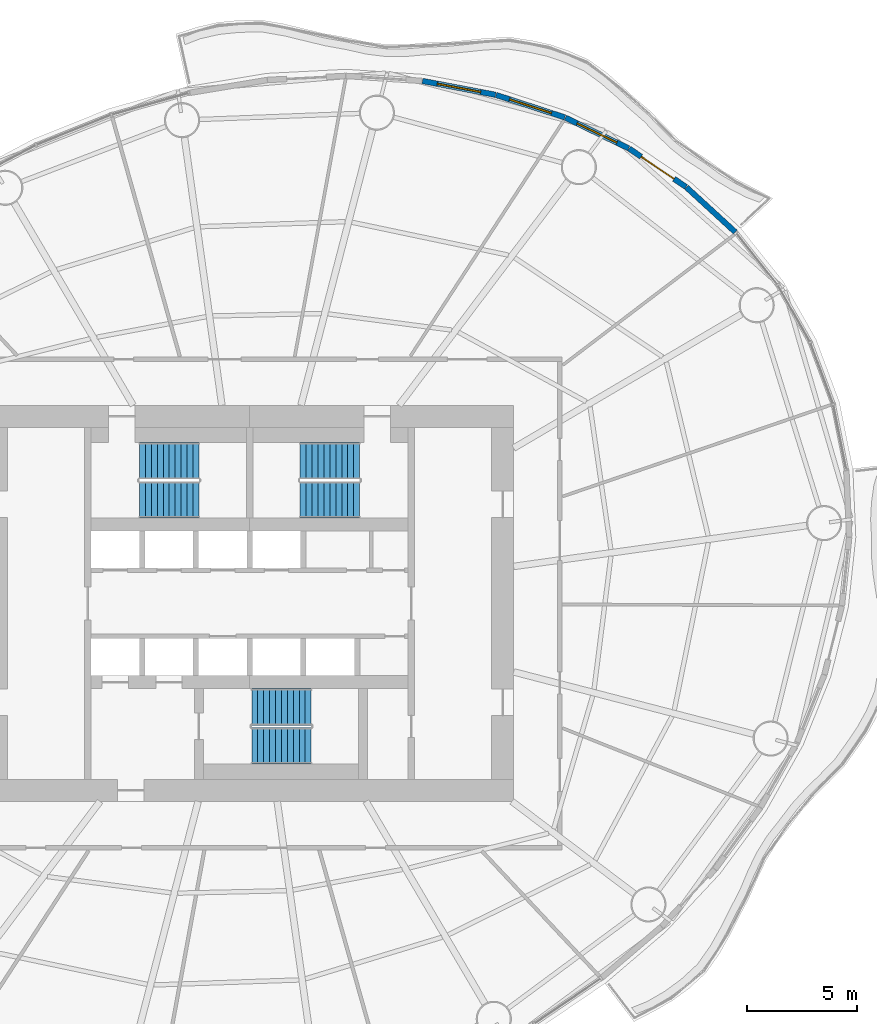
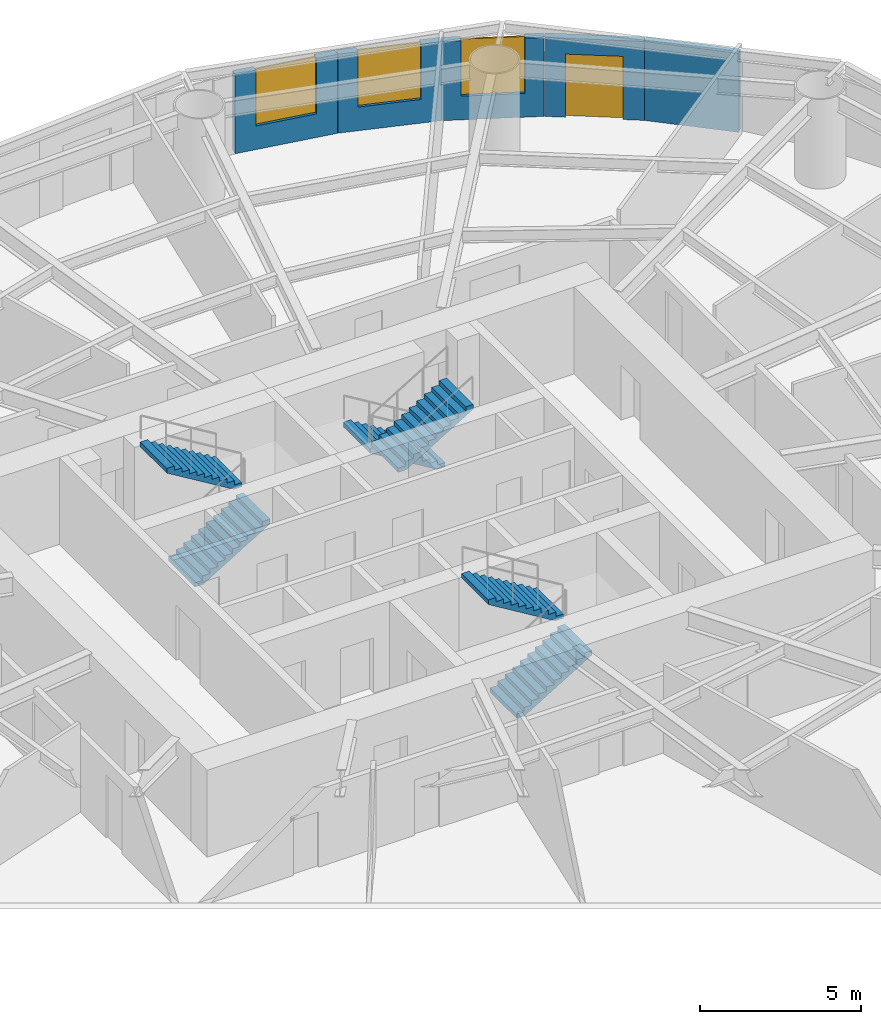
# One storey, part 11 of 14: 6 stair flights, 5 walls, 3 windows, 1 door, 4 openings, 3 elements without a shape of their own.
"""IFC4 building model written with IfcOpenShell, lengths in metres."""

from ifc_helpers import new_model, si_unit, direction, frame, frame_2d, origin, place, context, subcontext, project, spatial, polyline, rectangle, outline, extrude, material, layer, layer_set, type_object, element, fill, aggregate, save


model = new_model("IFC4")

# Units and contexts
model_context = context("Model", 3, precision=1e-05, world=origin(), true_north=direction((0.0, 1.0)))
body_context = subcontext(model_context, "Body", "Model", "MODEL_VIEW")
ifc_project = project(units=[si_unit("LENGTHUNIT", "METRE"), si_unit("AREAUNIT", "SQUARE_METRE"), si_unit("VOLUMEUNIT", "CUBIC_METRE"), si_unit("PLANEANGLEUNIT", "RADIAN"), si_unit("MASSUNIT", "GRAM", prefix="KILO")], contexts=[model_context])

# Site, building, storey
site_placement = place(None, origin())
site = spatial("IfcSite", under=ifc_project, at=site_placement, CompositionType="ELEMENT")
building_placement = place(site_placement, origin())
building = spatial("IfcBuilding", under=site, at=building_placement, Name="Vermilion Reach Broadcast Tower", CompositionType="ELEMENT")
storey_placement = place(building_placement, frame((0.0, 0.0, 131.800048828125)))
storey = spatial("IfcBuildingStorey", under=building, at=storey_placement, Name="L31", CompositionType="ELEMENT", Elevation=131.800048828125)

# Wall
ifc_material_1 = material(Name="Terracotta rainscreen cladding", Category="masonry")
ifc_layer = layer(ifc_material_1, 0.25)
ifc_layer_set = layer_set([ifc_layer], Name="Terracotta rainscreen wall 250")
wall_type = type_object("IfcWallType", Name="Terracotta rainscreen wall 250", PredefinedType="SOLIDWALL", material=ifc_layer_set)
wall_1_placement = place(storey_placement, frame((16.0703125, 16.870361328125, 0.0), z_axis=(0.0, 0.0, 1.0), x_axis=(-0.736827064846, 0.676081264724, 0.0)))
element("IfcWall", 1, at=wall_1_placement, inside=storey, type_object=wall_type, Name="External wall L31 02", PredefinedType="SOLIDWALL", context=body_context, shape_type="SweptSolid", body=[
    extrude(rectangle(XDim=3.00634765625, YDim=0.25, at=frame_2d((1.503173828125, 0.0))), origin(), (0.0, 0.0, 1.0), 3.0),
])

# Wall, opening, door
wall_2_placement = place(storey_placement, frame((13.834228515625, 18.91943359375, 0.0), z_axis=(0.0, 0.0, 1.0), x_axis=(-0.829037505095, 0.559193003484, 0.0)))
wall_2 = element("IfcWall", 2, at=wall_2_placement, inside=storey, type_object=wall_type, Name="External wall L31 03", PredefinedType="SOLIDWALL", context=body_context, shape_type="SweptSolid", body=[
    extrude(rectangle(XDim=3.116943359375, YDim=0.25, at=frame_2d((1.55859375, 0.0))), origin(), (0.0, 0.0, 1.0), 3.0),
])
opening_1_placement = place(wall_2_placement, frame((0.657958984375, 0.0, 0.0)))
opening_1 = element("IfcOpeningElement", 3, at=opening_1_placement, cuts=wall_2, Name="Opening D70", PredefinedType="OPENING", context=body_context, shape_type="SweptSolid", body=[
    extrude(rectangle(XDim=1.800048828125, YDim=2.39990234375, at=frame_2d((0.89990234375, 1.199951171875))), frame((0.0, 0.135009765625, 0.0), z_axis=(0.0, -1.0, 0.0), x_axis=(1.0, 0.0, 0.0)), (0.0, 0.0, 1.0), 0.27001953125),
])
ifc_material_2 = material(Name="Low-e laminated clear glass in aluminium frame", Category="aluminium")
door_type = type_object("IfcDoorType", Name="Balcony sliding door 1800 x 2400", OperationType="DOUBLE_DOOR_SLIDING", PredefinedType="DOOR", material=ifc_material_2)
door_placement = place(opening_1_placement, origin())
door = element("IfcDoor", 4, at=door_placement, inside=storey, type_object=door_type, Name="Balcony door L31 run 01", OperationType="DOUBLE_DOOR_SLIDING", OverallHeight=2.39990234375, OverallWidth=1.800048828125, PredefinedType="DOOR", context=body_context, shape_type="SweptSolid", body=[
    extrude(rectangle(XDim=1.800048828125, YDim=2.39990234375, at=frame_2d((0.89990234375, 1.199951171875))), frame((0.0, 0.02490234375, 0.0), z_axis=(0.0, -1.0, 0.0), x_axis=(1.0, 0.0, 0.0)), (0.0, 0.0, 1.0), 0.050048828125),
])
fill(opening_1, door)

# Wall, opening, window
wall_3_placement = place(storey_placement, frame((11.22802734375, 20.675048828125, 0.0), z_axis=(0.0, 0.0, 1.0), x_axis=(-0.899958400028, 0.435975777102, 0.0)))
wall_3 = element("IfcWall", 5, at=wall_3_placement, inside=storey, type_object=wall_type, Name="External wall L31 04", PredefinedType="SOLIDWALL", context=body_context, shape_type="SweptSolid", body=[
    extrude(rectangle(XDim=3.19921875, YDim=0.25, at=frame_2d((1.599609375, 0.0))), origin(), (0.0, 0.0, 1.0), 3.0),
])
opening_2_placement = place(wall_3_placement, frame((0.599609375, 0.0, 0.89990234375)))
opening_2 = element("IfcOpeningElement", 6, at=opening_2_placement, cuts=wall_3, Name="Opening W03", PredefinedType="OPENING", context=body_context, shape_type="SweptSolid", body=[
    extrude(rectangle(XDim=2.0, YDim=2.10009765625, at=frame_2d((1.0, 1.050048828125))), frame((0.0, 0.135009765625, 0.0), z_axis=(0.0, -1.0, 0.0), x_axis=(1.0, 0.0, 0.0)), (0.0, 0.0, 1.0), 0.27001953125),
])
ifc_material_3 = material(Name="Low-e laminated clear glass in aluminium frame", Category="aluminium")
window_type = type_object("IfcWindowType", Name="Punched window 2000 x 2100 sill 900", PartitioningType="SINGLE_PANEL", PredefinedType="WINDOW", material=ifc_material_3)
window_1_placement = place(opening_2_placement, origin())
window_1 = element("IfcWindow", 7, at=window_1_placement, inside=storey, type_object=window_type, Name="Window L31 04", OverallHeight=2.10009765625, OverallWidth=2.0, PartitioningType="SINGLE_PANEL", PredefinedType="WINDOW", context=body_context, shape_type="SweptSolid", body=[
    extrude(rectangle(XDim=2.0, YDim=2.10009765625, at=frame_2d((1.0, 1.050048828125))), frame((0.0, 0.030029296875, 0.0), z_axis=(0.0, -1.0, 0.0), x_axis=(1.0, 0.0, 0.0)), (0.0, 0.0, 1.0), 0.06005859375),
])
fill(opening_2, window_1)

wall_4_placement = place(storey_placement, frame((8.32568359375, 22.0791015625, 0.0), z_axis=(0.0, 0.0, 1.0), x_axis=(-0.950530319669, 0.310631793915, 0.0)))
wall_4 = element("IfcWall", 8, at=wall_4_placement, inside=storey, type_object=wall_type, Name="External wall L31 05", PredefinedType="SOLIDWALL", context=body_context, shape_type="SweptSolid", body=[
    extrude(rectangle(XDim=3.288330078125, YDim=0.25, at=frame_2d((1.64404296875, 0.0))), origin(), (0.0, 0.0, 1.0), 3.0),
])
opening_3_placement = place(wall_4_placement, frame((0.644287109375, 0.0, 0.89990234375)))
opening_3 = element("IfcOpeningElement", 9, at=opening_3_placement, cuts=wall_4, Name="Opening W03", PredefinedType="OPENING", context=body_context, shape_type="SweptSolid", body=[
    extrude(rectangle(XDim=2.0, YDim=2.10009765625, at=frame_2d((1.0, 1.050048828125))), frame((0.0, 0.135009765625, 0.0), z_axis=(0.0, -1.0, 0.0), x_axis=(1.0, 0.0, 0.0)), (0.0, 0.0, 1.0), 0.27001953125),
])
window_2_placement = place(opening_3_placement, origin())
window_2 = element("IfcWindow", 10, at=window_2_placement, inside=storey, type_object=window_type, Name="Window L31 05", OverallHeight=2.10009765625, OverallWidth=2.0, PartitioningType="SINGLE_PANEL", PredefinedType="WINDOW", context=body_context, shape_type="SweptSolid", body=[
    extrude(rectangle(XDim=2.0, YDim=2.10009765625, at=frame_2d((1.0, 1.050048828125))), frame((0.0, 0.030029296875, 0.0), z_axis=(0.0, -1.0, 0.0), x_axis=(1.0, 0.0, 0.0)), (0.0, 0.0, 1.0), 0.06005859375),
])
fill(opening_3, window_2)

wall_5_placement = place(storey_placement, frame((5.176513671875, 23.106689453125, 0.0), z_axis=(0.0, 0.0, 1.0), x_axis=(-0.982478083438, 0.186378152055, 0.0)))
wall_5 = element("IfcWall", 11, at=wall_5_placement, inside=storey, type_object=wall_type, Name="External wall L31 06", PredefinedType="SOLIDWALL", context=body_context, shape_type="SweptSolid", body=[
    extrude(rectangle(XDim=3.378173828125, YDim=0.25, at=frame_2d((1.68896484375, 0.0))), origin(), (0.0, 0.0, 1.0), 3.0),
])
opening_4_placement = place(wall_5_placement, frame((0.689208984375, 0.0, 0.89990234375)))
opening_4 = element("IfcOpeningElement", 12, at=opening_4_placement, cuts=wall_5, Name="Opening W03", PredefinedType="OPENING", context=body_context, shape_type="SweptSolid", body=[
    extrude(rectangle(XDim=2.0, YDim=2.10009765625, at=frame_2d((1.0, 1.050048828125))), frame((0.0, 0.135009765625, 0.0), z_axis=(0.0, -1.0, 0.0), x_axis=(1.0, 0.0, 0.0)), (0.0, 0.0, 1.0), 0.27001953125),
])
window_3_placement = place(opening_4_placement, origin())
window_3 = element("IfcWindow", 13, at=window_3_placement, inside=storey, type_object=window_type, Name="Window L31 06", OverallHeight=2.10009765625, OverallWidth=2.0, PartitioningType="SINGLE_PANEL", PredefinedType="WINDOW", context=body_context, shape_type="SweptSolid", body=[
    extrude(rectangle(XDim=2.0, YDim=2.10009765625, at=frame_2d((1.0, 1.050048828125))), frame((0.0, 0.030029296875, 0.0), z_axis=(0.0, -1.0, 0.0), x_axis=(1.0, 0.0, 0.0)), (0.0, 0.0, 1.0), 0.06005859375),
])
fill(opening_4, window_3)

# Stair, stair flights
ifc_material_4 = material(Name="Concrete C40", Category="concrete")
stair_type = type_object("IfcStairType", Name="Exit stair RC 22 risers 164 mm", PredefinedType="HALF_TURN_STAIR", material=ifc_material_4)
placement = place(storey_placement, origin())
stair_1 = element("IfcStair", 14, at=placement, inside=storey, type_object=stair_type, Name="L31 Exit stair ST1", PredefinedType="HALF_TURN_STAIR")
ifc_material_5 = material(Name="Concrete C40", Category="concrete")
stair_flight_type = type_object("IfcStairFlightType", Name="Exit stair flight RC 11 risers", PredefinedType="STRAIGHT", material=ifc_material_5)
stair_flight_1_placement = place(storey_placement, frame((-11.0, 4.7099609375, 0.0), z_axis=(0.0, 0.0, 1.0), x_axis=(1.0, 0.0, 0.0)))
stair_flight_1 = element("IfcStairFlight", 15, at=stair_flight_1_placement, type_object=stair_flight_type, Name="ST1 flight 1", NumberOfRisers=11, NumberOfTreads=10, PredefinedType="STRAIGHT", RiserHeight=0.163636364, TreadLength=0.27, context=body_context, shape_type="SweptSolid", body=[
    extrude(outline(polyline([(0.0, 0.0), (0.0, 0.16357421875), (0.27001953125, 0.16357421875), (0.27001953125, 0.327392578125), (0.5400390625, 0.327392578125), (0.5400390625, 0.490966796875), (0.81005859375, 0.490966796875), (0.81005859375, 0.654541015625), (1.080078125, 0.654541015625), (1.080078125, 0.818115234375), (1.35009765625, 0.818115234375), (1.35009765625, 0.98193359375), (1.6201171875, 0.98193359375), (1.6201171875, 1.1455078125), (1.889892578125, 1.1455078125), (1.889892578125, 1.30908203125), (2.159912109375, 1.30908203125), (2.159912109375, 1.47265625), (2.429931640625, 1.47265625), (2.429931640625, 1.636474609375), (2.699951171875, 1.636474609375), (2.699951171875, 1.800048828125), (2.699951171875, 1.461181640625), (0.289306640625, 0.0), (0.0, 0.0)])), frame((0.0, 0.830078125, 0.0), z_axis=(0.0, -1.0, 0.0), x_axis=(1.0, 0.0, 0.0)), (0.0, 0.0, 1.0), 1.659912109375),
])
stair_flight_2_placement = place(storey_placement, frame((-8.300048828125, 6.469970703125, 1.800048828125), z_axis=(0.0, 0.0, 1.0), x_axis=(-1.0, 0.0, 0.0)))
stair_flight_2 = element("IfcStairFlight", 16, at=stair_flight_2_placement, type_object=stair_flight_type, Name="ST1 flight 2", NumberOfRisers=11, NumberOfTreads=10, PredefinedType="STRAIGHT", RiserHeight=0.163636364, TreadLength=0.27, context=body_context, shape_type="SweptSolid", body=[
    extrude(outline(polyline([(0.0, 0.0), (0.0, 0.16357421875), (0.27001953125, 0.16357421875), (0.27001953125, 0.327392578125), (0.5400390625, 0.327392578125), (0.5400390625, 0.490966796875), (0.81005859375, 0.490966796875), (0.81005859375, 0.654541015625), (1.080078125, 0.654541015625), (1.080078125, 0.818115234375), (1.35009765625, 0.818115234375), (1.35009765625, 0.98193359375), (1.6201171875, 0.98193359375), (1.6201171875, 1.1455078125), (1.889892578125, 1.1455078125), (1.889892578125, 1.30908203125), (2.159912109375, 1.30908203125), (2.159912109375, 1.47265625), (2.429931640625, 1.47265625), (2.429931640625, 1.636474609375), (2.699951171875, 1.636474609375), (2.699951171875, 1.800048828125), (2.699951171875, 1.461181640625), (0.289306640625, 0.0), (0.0, 0.0)])), frame((0.0, 0.830078125, 0.0), z_axis=(0.0, -1.0, 0.0), x_axis=(1.0, 0.0, 0.0)), (0.0, 0.0, 1.0), 1.659912109375),
])
aggregate(stair_1, [stair_flight_1, stair_flight_2])

stair_2 = element("IfcStair", 17, at=placement, inside=storey, type_object=stair_type, Name="L31 Exit stair ST2", PredefinedType="HALF_TURN_STAIR")
stair_flight_3_placement = place(storey_placement, frame((-1.0, 6.469970703125, 0.0), z_axis=(0.0, 0.0, 1.0), x_axis=(-1.0, 0.0, 0.0)))
stair_flight_3 = element("IfcStairFlight", 18, at=stair_flight_3_placement, type_object=stair_flight_type, Name="ST2 flight 1", NumberOfRisers=11, NumberOfTreads=10, PredefinedType="STRAIGHT", RiserHeight=0.163636364, TreadLength=0.27, context=body_context, shape_type="SweptSolid", body=[
    extrude(outline(polyline([(0.0, 0.0), (0.0, 0.16357421875), (0.27001953125, 0.16357421875), (0.27001953125, 0.327392578125), (0.5400390625, 0.327392578125), (0.5400390625, 0.490966796875), (0.81005859375, 0.490966796875), (0.81005859375, 0.654541015625), (1.080078125, 0.654541015625), (1.080078125, 0.818115234375), (1.35009765625, 0.818115234375), (1.35009765625, 0.98193359375), (1.6201171875, 0.98193359375), (1.6201171875, 1.1455078125), (1.889892578125, 1.1455078125), (1.889892578125, 1.30908203125), (2.159912109375, 1.30908203125), (2.159912109375, 1.47265625), (2.429931640625, 1.47265625), (2.429931640625, 1.636474609375), (2.699951171875, 1.636474609375), (2.699951171875, 1.800048828125), (2.699951171875, 1.461181640625), (0.289306640625, 0.0), (0.0, 0.0)])), frame((0.0, 0.830078125, 0.0), z_axis=(0.0, -1.0, 0.0), x_axis=(1.0, 0.0, 0.0)), (0.0, 0.0, 1.0), 1.659912109375),
])
stair_flight_4_placement = place(storey_placement, frame((-3.699951171875, 4.7099609375, 1.800048828125), z_axis=(0.0, 0.0, 1.0), x_axis=(1.0, 0.0, 0.0)))
stair_flight_4 = element("IfcStairFlight", 19, at=stair_flight_4_placement, type_object=stair_flight_type, Name="ST2 flight 2", NumberOfRisers=11, NumberOfTreads=10, PredefinedType="STRAIGHT", RiserHeight=0.163636364, TreadLength=0.27, context=body_context, shape_type="SweptSolid", body=[
    extrude(outline(polyline([(0.0, 0.0), (0.0, 0.16357421875), (0.27001953125, 0.16357421875), (0.27001953125, 0.327392578125), (0.5400390625, 0.327392578125), (0.5400390625, 0.490966796875), (0.81005859375, 0.490966796875), (0.81005859375, 0.654541015625), (1.080078125, 0.654541015625), (1.080078125, 0.818115234375), (1.35009765625, 0.818115234375), (1.35009765625, 0.98193359375), (1.6201171875, 0.98193359375), (1.6201171875, 1.1455078125), (1.889892578125, 1.1455078125), (1.889892578125, 1.30908203125), (2.159912109375, 1.30908203125), (2.159912109375, 1.47265625), (2.429931640625, 1.47265625), (2.429931640625, 1.636474609375), (2.699951171875, 1.636474609375), (2.699951171875, 1.800048828125), (2.699951171875, 1.461181640625), (0.289306640625, 0.0), (0.0, 0.0)])), frame((0.0, 0.830078125, 0.0), z_axis=(0.0, -1.0, 0.0), x_axis=(1.0, 0.0, 0.0)), (0.0, 0.0, 1.0), 1.659912109375),
])
aggregate(stair_2, [stair_flight_3, stair_flight_4])

stair_3 = element("IfcStair", 20, at=placement, inside=storey, type_object=stair_type, Name="L31 Exit stair ST3", PredefinedType="HALF_TURN_STAIR")
stair_flight_5_placement = place(storey_placement, frame((-5.89990234375, -6.469970703125, 0.0), z_axis=(0.0, 0.0, 1.0), x_axis=(1.0, 0.0, 0.0)))
stair_flight_5 = element("IfcStairFlight", 21, at=stair_flight_5_placement, type_object=stair_flight_type, Name="ST3 flight 1", NumberOfRisers=11, NumberOfTreads=10, PredefinedType="STRAIGHT", RiserHeight=0.163636364, TreadLength=0.27, context=body_context, shape_type="SweptSolid", body=[
    extrude(outline(polyline([(0.0, 0.0), (0.0, 0.16357421875), (0.27001953125, 0.16357421875), (0.27001953125, 0.327392578125), (0.5400390625, 0.327392578125), (0.5400390625, 0.490966796875), (0.81005859375, 0.490966796875), (0.81005859375, 0.654541015625), (1.080078125, 0.654541015625), (1.080078125, 0.818115234375), (1.35009765625, 0.818115234375), (1.35009765625, 0.98193359375), (1.6201171875, 0.98193359375), (1.6201171875, 1.1455078125), (1.889892578125, 1.1455078125), (1.889892578125, 1.30908203125), (2.159912109375, 1.30908203125), (2.159912109375, 1.47265625), (2.429931640625, 1.47265625), (2.429931640625, 1.636474609375), (2.699951171875, 1.636474609375), (2.699951171875, 1.800048828125), (2.699951171875, 1.461181640625), (0.289306640625, 0.0), (0.0, 0.0)])), frame((0.0, 0.830078125, 0.0), z_axis=(0.0, -1.0, 0.0), x_axis=(1.0, 0.0, 0.0)), (0.0, 0.0, 1.0), 1.659912109375),
])
stair_flight_6_placement = place(storey_placement, frame((-3.199951171875, -4.7099609375, 1.800048828125), z_axis=(0.0, 0.0, 1.0), x_axis=(-1.0, 0.0, 0.0)))
stair_flight_6 = element("IfcStairFlight", 22, at=stair_flight_6_placement, type_object=stair_flight_type, Name="ST3 flight 2", NumberOfRisers=11, NumberOfTreads=10, PredefinedType="STRAIGHT", RiserHeight=0.163636364, TreadLength=0.27, context=body_context, shape_type="SweptSolid", body=[
    extrude(outline(polyline([(0.0, 0.0), (0.0, 0.16357421875), (0.27001953125, 0.16357421875), (0.27001953125, 0.327392578125), (0.5400390625, 0.327392578125), (0.5400390625, 0.490966796875), (0.81005859375, 0.490966796875), (0.81005859375, 0.654541015625), (1.080078125, 0.654541015625), (1.080078125, 0.818115234375), (1.35009765625, 0.818115234375), (1.35009765625, 0.98193359375), (1.6201171875, 0.98193359375), (1.6201171875, 1.1455078125), (1.889892578125, 1.1455078125), (1.889892578125, 1.30908203125), (2.159912109375, 1.30908203125), (2.159912109375, 1.47265625), (2.429931640625, 1.47265625), (2.429931640625, 1.636474609375), (2.699951171875, 1.636474609375), (2.699951171875, 1.800048828125), (2.699951171875, 1.461181640625), (0.289306640625, 0.0), (0.0, 0.0)])), frame((0.0, 0.830078125, 0.0), z_axis=(0.0, -1.0, 0.0), x_axis=(1.0, 0.0, 0.0)), (0.0, 0.0, 1.0), 1.659912109375),
])
aggregate(stair_3, [stair_flight_5, stair_flight_6])

save(model, "model.ifc")
